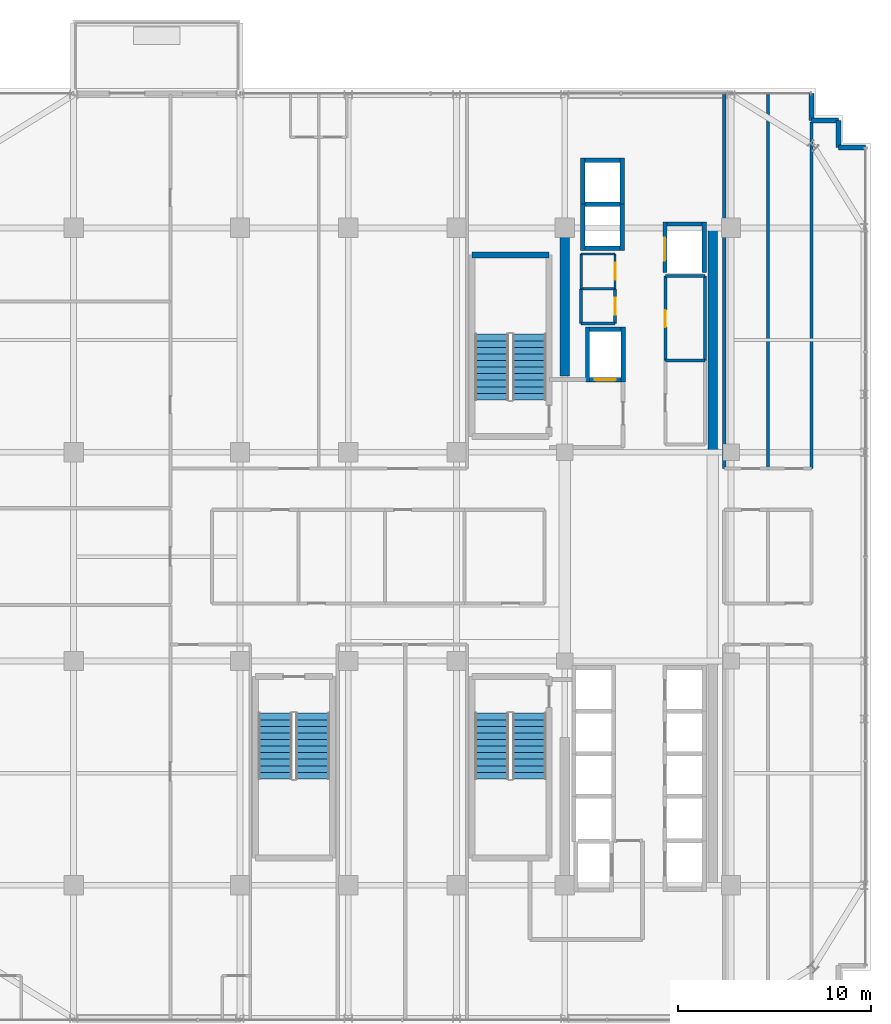
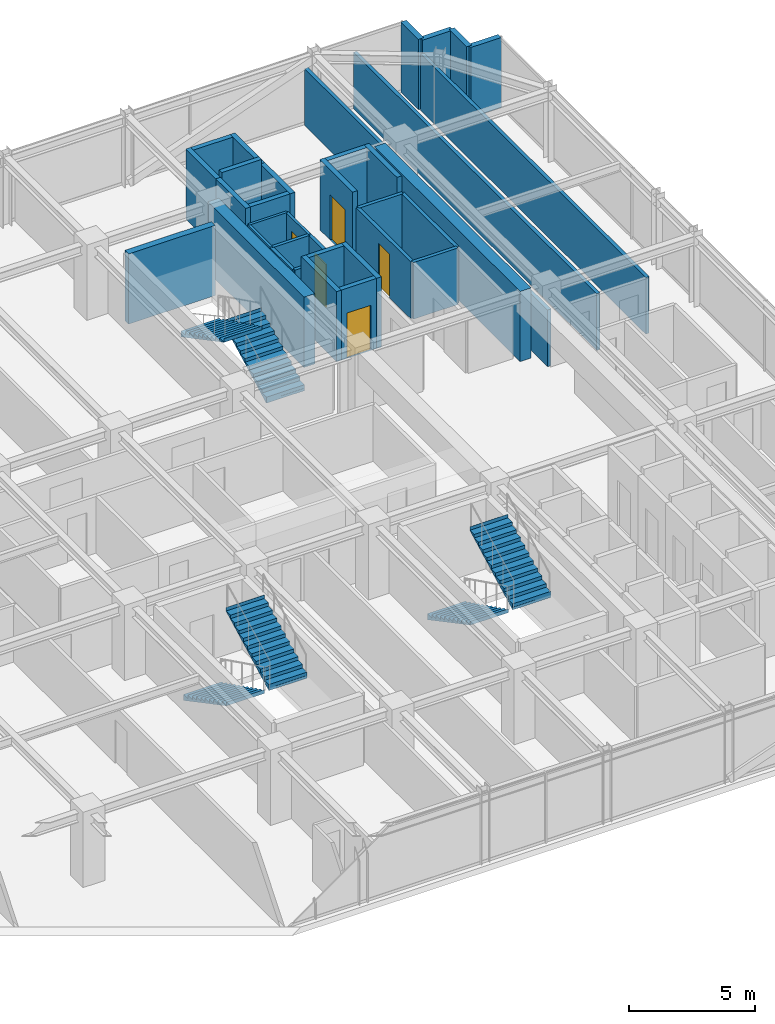
# One storey, part 32 of 36: 35 walls, 6 stair flights, 5 doors, 5 openings, 3 elements without a shape of their own.
"""IFC4 building model written with IfcOpenShell, lengths in metres."""

from ifc_helpers import new_model, si_unit, direction, frame, frame_2d, origin, place, context, subcontext, project, spatial, polyline, rectangle, outline, extrude, source, transform, mapped, material, layer, layer_set, type_object, element, fill, aggregate, save


model = new_model("IFC4")

# Units and contexts
model_context = context("Model", 3, precision=1e-05, world=origin(), true_north=direction((0.0, 1.0)))
body_context = subcontext(model_context, "Body", "Model", "MODEL_VIEW")
ifc_project = project(units=[si_unit("LENGTHUNIT", "METRE"), si_unit("AREAUNIT", "SQUARE_METRE"), si_unit("VOLUMEUNIT", "CUBIC_METRE"), si_unit("PLANEANGLEUNIT", "RADIAN"), si_unit("MASSUNIT", "GRAM", prefix="KILO")], contexts=[model_context])

# Site, building, storey
site_placement = place(None, origin())
site = spatial("IfcSite", under=ifc_project, at=site_placement, CompositionType="ELEMENT")
building_placement = place(site_placement, origin())
building = spatial("IfcBuilding", under=site, at=building_placement, Name="Nahalor Promenade Grand Hotel", CompositionType="ELEMENT")
storey_placement = place(building_placement, frame((0.0, 0.0, 241.89990234375)))
storey = spatial("IfcBuildingStorey", under=building, at=storey_placement, Name="L62", CompositionType="ELEMENT", Elevation=241.89990234375)

# Walls
ifc_material_1 = material(Name="Concrete B-60 (C50/60)", Category="concrete")
ifc_layer_1 = layer(ifc_material_1, 0.5)
ifc_layer_set_1 = layer_set([ifc_layer_1], Name="Concrete B-60 (C50/60)")
wall_type_1 = type_object("IfcWallType", Name="Wall-CoreShear-500", PredefinedType="SHEAR", material=ifc_layer_set_1)
shared_shape_1 = source(origin(), body_context, "Body", "SweptSolid", [
    extrude(rectangle(XDim=7.64990234375, YDim=0.5, at=frame_2d((3.824951171875, 0.0))), origin(), (0.0, 0.0, 1.0), 3.41015625),
])
wall_1_placement = place(storey_placement, frame((8.39990234375, 9.35009765625, 0.0), z_axis=(0.0, 0.0, 1.0), x_axis=(0.0, 1.0, 0.0)))
element("IfcWall", 1, at=wall_1_placement, inside=storey, type_object=wall_type_1, Name="CWALL-L62-NW", PredefinedType="SHEAR", context=body_context, shape_type="MappedRepresentation", body=[
    mapped(shared_shape_1, transform((0.0, 0.0, 0.0), scale=1.0)),
])
shared_shape_2 = source(origin(), body_context, "Body", "SweptSolid", [
    extrude(rectangle(XDim=11.60009765625, YDim=0.5, at=frame_2d((5.800048828125, 0.0))), origin(), (0.0, 0.0, 1.0), 3.41015625),
])
wall_2_placement = place(storey_placement, frame((16.050048828125, 5.39990234375, 0.0), z_axis=(0.0, 0.0, 1.0), x_axis=(0.0, 1.0, 0.0)))
element("IfcWall", 2, at=wall_2_placement, inside=storey, type_object=wall_type_1, Name="CWALL-L62-NE", PredefinedType="SHEAR", context=body_context, shape_type="MappedRepresentation", body=[
    mapped(shared_shape_2, transform((0.0, 0.0, 0.0), scale=1.0)),
])
ifc_material_2 = material(Name="Concrete B-50 (C40/50)", Category="concrete")
ifc_layer_2 = layer(ifc_material_2, 0.300048828125)
ifc_layer_set_2 = layer_set([ifc_layer_2], Name="Concrete B-50 (C40/50)")
wall_type_2 = type_object("IfcWallType", Name="Wall-ShaftShear-300", PredefinedType="SHEAR", material=ifc_layer_set_2)
shared_shape_3 = source(origin(), body_context, "Body", "SweptSolid", [
    extrude(rectangle(XDim=3.97998046875, YDim=0.300048828125, at=frame_2d((1.989990234375, 0.0))), origin(), (0.0, 0.0, 1.0), 3.41015625),
])
wall_3_placement = place(storey_placement, frame((3.610107421875, 15.590087890625, 0.0), z_axis=(0.0, 0.0, 1.0), x_axis=(1.0, 0.0, 0.0)))
element("IfcWall", 3, at=wall_3_placement, inside=storey, type_object=wall_type_2, Name="L62 Exit Stair ST1 Shaft Wall N", PredefinedType="SHEAR", context=body_context, shape_type="MappedRepresentation", body=[
    mapped(shared_shape_3, transform((0.0, 0.0, 0.0), scale=1.0)),
])
ifc_layer_3 = layer(ifc_material_2, 0.219970703125)
ifc_layer_set_3 = layer_set([ifc_layer_3], Name="Concrete B-50 (C40/50)")
wall_type_3 = type_object("IfcWallType", Name="Wall-LiftShaft-220", PredefinedType="SHEAR", material=ifc_layer_set_3)
shared_shape_4 = source(origin(), body_context, "Body", "SweptSolid", [
    extrude(rectangle(XDim=1.820068359375, YDim=0.219970703125, at=frame_2d((0.91015625, 0.0))), origin(), (0.0, 0.0, 1.0), 3.41015625),
])
for number, where, z_axis, x_axis, name in (
    (4, (9.43994140625, 15.949951171875, 0.0), (0.0, 0.0, 1.0), (1.0, 0.0, 0.0), "L62 Lift OB1 Hoistway Wall S"),
    (5, (9.43994140625, 20.5, 0.0), (0.0, 0.0, 1.0), (1.0, 0.0, 0.0), "L62 Lift OB2 Hoistway Wall N"),
    (6, (13.68994140625, 17.199951171875, 0.0), (0.0, 0.0, 1.0), (1.0, 0.0, 0.0), "L62 Lift SV1 Hoistway Wall N"),
):
    element("IfcWall", number, at=place(storey_placement, frame(where, z_axis=z_axis, x_axis=x_axis)), inside=storey, type_object=wall_type_3, Name=name, PredefinedType="SHEAR", context=body_context, shape_type="MappedRepresentation", body=[
        mapped(shared_shape_4, transform((0.0, 0.0, 0.0), scale=1.0)),
    ])
shared_shape_5 = source(origin(), body_context, "Body", "SweptSolid", [
    extrude(rectangle(XDim=1.820068359375, YDim=0.219970703125, at=frame_2d((0.91015625, 0.0))), origin(), (0.0, 0.0, 1.0), 3.7001953125),
])
wall_4_placement = place(storey_placement, frame((9.43994140625, 18.22509765625, 0.0), z_axis=(0.0, 0.0, 1.0), x_axis=(1.0, 0.0, 0.0)))
element("IfcWall", 7, at=wall_4_placement, inside=storey, type_object=wall_type_3, Name="L62 Lift OB1 Hoistway Wall N", PredefinedType="SHEAR", context=body_context, shape_type="MappedRepresentation", body=[
    mapped(shared_shape_5, transform((0.0, 0.0, 0.0), scale=1.0)),
])
shared_shape_6 = source(origin(), body_context, "Body", "SweptSolid", [
    extrude(rectangle(XDim=2.385009765625, YDim=0.219970703125, at=frame_2d((1.1923828125, 0.0))), origin(), (0.0, 0.0, 1.0), 3.41015625),
])
for number, where, z_axis, x_axis, name in (
    (8, (9.330078125, 15.840087890625, 0.0), (0.0, 0.0, 1.0), (0.0, 1.0, 0.0), "L62 Lift OB1 Hoistway Wall W"),
    (9, (11.3701171875, 15.840087890625, 0.0), (0.0, 0.0, 1.0), (0.0, 1.0, 0.0), "L62 Lift OB1 Hoistway Wall E"),
    (10, (9.330078125, 18.22509765625, 0.0), (0.0, 0.0, 1.0), (0.0, 1.0, 0.0), "L62 Lift OB2 Hoistway Wall W"),
    (11, (11.3701171875, 18.22509765625, 0.0), (0.0, 0.0, 1.0), (0.0, 1.0, 0.0), "L62 Lift OB2 Hoistway Wall E"),
):
    element("IfcWall", number, at=place(storey_placement, frame(where, z_axis=z_axis, x_axis=x_axis)), inside=storey, type_object=wall_type_3, Name=name, PredefinedType="SHEAR", context=body_context, shape_type="MappedRepresentation", body=[
        mapped(shared_shape_6, transform((0.0, 0.0, 0.0), scale=1.0)),
    ])
shared_shape_7 = source(origin(), body_context, "Body", "SweptSolid", [
    extrude(rectangle(XDim=2.820068359375, YDim=0.219970703125, at=frame_2d((1.41015625, 0.0))), origin(), (0.0, 0.0, 1.0), 3.41015625),
])
for number, where, z_axis, x_axis, name in (
    (12, (9.580078125, 9.0400390625, 0.0), (0.0, 0.0, 1.0), (0.0, 1.0, 0.0), "L62 Lift FL1 Hoistway Wall W"),
    (13, (11.419921875, 9.0400390625, 0.0), (0.0, 0.0, 1.0), (0.0, 1.0, 0.0), "L62 Lift FL1 Hoistway Wall E"),
):
    element("IfcWall", number, at=place(storey_placement, frame(where, z_axis=z_axis, x_axis=x_axis)), inside=storey, type_object=wall_type_3, Name=name, PredefinedType="SHEAR", context=body_context, shape_type="MappedRepresentation", body=[
        mapped(shared_shape_7, transform((0.0, 0.0, 0.0), scale=1.0)),
    ])

# Wall, opening, door
shared_shape_8 = source(origin(), body_context, "Body", "SweptSolid", [
    extrude(rectangle(XDim=1.6201171875, YDim=0.219970703125, at=frame_2d((0.81005859375, 0.0))), origin(), (0.0, 0.0, 1.0), 3.41015625),
])
wall_5_placement = place(storey_placement, frame((9.68994140625, 9.14990234375, 0.0), z_axis=(0.0, 0.0, 1.0), x_axis=(1.0, 0.0, 0.0)))
wall_5 = element("IfcWall", 14, at=wall_5_placement, inside=storey, type_object=wall_type_3, Name="L62 Lift FL1 Hoistway Wall S", PredefinedType="SHEAR", context=body_context, shape_type="MappedRepresentation", body=[
    mapped(shared_shape_8, transform((0.0, 0.0, 0.0), scale=1.0)),
])
opening_1_placement = place(wall_5_placement, frame((0.260009765625, 0.0, 0.0)))
opening_1 = element("IfcOpeningElement", 15, at=opening_1_placement, cuts=wall_5, Name="Opening LD-02", PredefinedType="OPENING", context=body_context, shape_type="SweptSolid", body=[
    extrude(rectangle(XDim=1.10009765625, YDim=2.199951171875, at=frame_2d((0.550048828125, 1.10009765625))), frame((0.0, 0.119873046875, 0.0), z_axis=(0.0, -1.0, 0.0), x_axis=(1.0, 0.0, 0.0)), (0.0, 0.0, 1.0), 0.239990234375),
])
ifc_material_3 = material(Name="Steel S355JR", Category="steel")
door_type_1 = type_object("IfcDoorType", Name="Door-LiftFF-1100", OperationType="DOUBLE_DOOR_SLIDING", PredefinedType="DOOR", material=ifc_material_3)
shared_shape_9 = source(origin(), body_context, "Body", "SweptSolid", [
    extrude(rectangle(XDim=1.10009765625, YDim=2.199951171875, at=frame_2d((0.550048828125, 1.10009765625))), frame((0.0, 0.02490234375, 0.0), z_axis=(0.0, -1.0, 0.0), x_axis=(1.0, 0.0, 0.0)), (0.0, 0.0, 1.0), 0.050048828125),
])
door_1_placement = place(opening_1_placement, frame((1.10009765625, 0.0, 0.0), z_axis=(0.0, 0.0, 1.0), x_axis=(-1.0, 0.0, 0.0)))
door_1 = element("IfcDoor", 16, at=door_1_placement, inside=storey, type_object=door_type_1, Name="DR-LIFT-FL1-L62", OperationType="DOUBLE_DOOR_SLIDING", OverallHeight=2.199951171875, OverallWidth=1.10009765625, PredefinedType="DOOR", context=body_context, shape_type="MappedRepresentation", body=[
    mapped(shared_shape_9, transform((0.0, 0.0, 0.0), scale=1.0)),
])
fill(opening_1, door_1)

# Wall
wall_6_placement = place(storey_placement, frame((9.68994140625, 11.75, 0.0), z_axis=(0.0, 0.0, 1.0), x_axis=(1.0, 0.0, 0.0)))
element("IfcWall", 17, at=wall_6_placement, inside=storey, type_object=wall_type_3, Name="L62 Lift FL1 Hoistway Wall N", PredefinedType="SHEAR", context=body_context, shape_type="MappedRepresentation", body=[
    mapped(shared_shape_8, transform((0.0, 0.0, 0.0), scale=1.0)),
])

# Wall, opening, door
shared_shape_10 = source(origin(), body_context, "Body", "SweptSolid", [
    extrude(rectangle(XDim=2.610107421875, YDim=0.219970703125, at=frame_2d((1.30517578125, 0.0))), origin(), (0.0, 0.0, 1.0), 3.41015625),
])
wall_7_placement = place(storey_placement, frame((13.580078125, 14.699951171875, 0.0), z_axis=(0.0, 0.0, 1.0), x_axis=(0.0, 1.0, 0.0)))
wall_7 = element("IfcWall", 18, at=wall_7_placement, inside=storey, type_object=wall_type_3, Name="L62 Lift SV1 Hoistway Wall W", PredefinedType="SHEAR", context=body_context, shape_type="MappedRepresentation", body=[
    mapped(shared_shape_10, transform((0.0, 0.0, 0.0), scale=1.0)),
])
opening_2_placement = place(wall_7_placement, frame((0.60009765625, 0.0, 0.0)))
opening_2 = element("IfcOpeningElement", 19, at=opening_2_placement, cuts=wall_7, Name="Opening LD-03", PredefinedType="OPENING", context=body_context, shape_type="SweptSolid", body=[
    extrude(rectangle(XDim=1.199951171875, YDim=2.199951171875, at=frame_2d((0.60009765625, 1.10009765625))), frame((0.0, 0.119873046875, 0.0), z_axis=(0.0, -1.0, 0.0), x_axis=(1.0, 0.0, 0.0)), (0.0, 0.0, 1.0), 0.239990234375),
])
door_type_2 = type_object("IfcDoorType", Name="Door-LiftService-1200", OperationType="DOUBLE_DOOR_SLIDING", PredefinedType="DOOR", material=ifc_material_3)
shared_shape_11 = source(origin(), body_context, "Body", "SweptSolid", [
    extrude(rectangle(XDim=1.199951171875, YDim=2.199951171875, at=frame_2d((0.60009765625, 1.10009765625))), frame((0.0, 0.02490234375, 0.0), z_axis=(0.0, -1.0, 0.0), x_axis=(1.0, 0.0, 0.0)), (0.0, 0.0, 1.0), 0.050048828125),
])
door_2_placement = place(opening_2_placement, origin())
door_2 = element("IfcDoor", 20, at=door_2_placement, inside=storey, type_object=door_type_2, Name="DR-LIFT-SV1-L62", OperationType="DOUBLE_DOOR_SLIDING", OverallHeight=2.199951171875, OverallWidth=1.199951171875, PredefinedType="DOOR", context=body_context, shape_type="MappedRepresentation", body=[
    mapped(shared_shape_11, transform((0.0, 0.0, 0.0), scale=1.0)),
])
fill(opening_2, door_2)

# Walls
wall_8_placement = place(storey_placement, frame((15.6201171875, 14.699951171875, 0.0), z_axis=(0.0, 0.0, 1.0), x_axis=(0.0, 1.0, 0.0)))
element("IfcWall", 21, at=wall_8_placement, inside=storey, type_object=wall_type_3, Name="L62 Lift SV1 Hoistway Wall E", PredefinedType="SHEAR", context=body_context, shape_type="MappedRepresentation", body=[
    mapped(shared_shape_10, transform((0.0, 0.0, 0.0), scale=1.0)),
])
ifc_material_4 = material(Name="Concrete B-40 (C32/40)", Category="concrete")
ifc_layer_4 = layer(ifc_material_4, 0.25)
ifc_layer_set_4 = layer_set([ifc_layer_4], Name="Concrete B-40 (C32/40)")
wall_type_4 = type_object("IfcWallType", Name="Wall-BronzePier-250", PredefinedType="STANDARD", material=ifc_layer_set_4)
shared_shape_12 = source(origin(), body_context, "Body", "SweptSolid", [
    extrude(rectangle(XDim=1.39990234375, YDim=0.25, at=frame_2d((0.699951171875, 0.0))), origin(), (0.0, 0.0, 1.0), 3.41015625),
])
for number, where, z_axis, x_axis, name in (
    (22, (22.56005859375, 21.159912109375, 0.0), (0.0, 0.0, 1.0), (1.0, 0.0, 0.0), "W-L62-SR-05"),
    (23, (21.159912109375, 22.56005859375, 0.0), (0.0, 0.0, 1.0), (0.0, 1.0, 0.0), "W-L62-SR-08"),
):
    element("IfcWall", number, at=place(storey_placement, frame(where, z_axis=z_axis, x_axis=x_axis)), inside=storey, type_object=wall_type_4, Name=name, PredefinedType="STANDARD", context=body_context, shape_type="MappedRepresentation", body=[
        mapped(shared_shape_12, transform((0.0, 0.0, 0.0), scale=1.0)),
    ])
shared_shape_13 = source(origin(), body_context, "Body", "SweptSolid", [
    extrude(rectangle(XDim=1.400146484375, YDim=0.25, at=frame_2d((0.7001953125, 0.0))), origin(), (0.0, 0.0, 1.0), 3.41015625),
])
for number, where, z_axis, x_axis, name in (
    (24, (22.56005859375, 21.159912109375, 0.0), (0.0, 0.0, 1.0), (0.0, 1.0, 0.0), "W-L62-SR-06"),
    (25, (21.159912109375, 22.56005859375, 0.0), (0.0, 0.0, 1.0), (1.0, 0.0, 0.0), "W-L62-SR-07"),
):
    element("IfcWall", number, at=place(storey_placement, frame(where, z_axis=z_axis, x_axis=x_axis)), inside=storey, type_object=wall_type_4, Name=name, PredefinedType="STANDARD", context=body_context, shape_type="MappedRepresentation", body=[
        mapped(shared_shape_13, transform((0.0, 0.0, 0.0), scale=1.0)),
    ])
ifc_material_5 = material(Name="Acoustic Mineral Gypsum", Category="gypsum")
ifc_layer_5 = layer(ifc_material_5, 0.14990234375)
ifc_layer_set_5 = layer_set([ifc_layer_5], Name="Acoustic Mineral Gypsum")
wall_type_5 = type_object("IfcWallType", Name="Wall-PartService-150", PredefinedType="PARTITIONING", material=ifc_layer_set_5)
shared_shape_14 = source(origin(), body_context, "Body", "SweptSolid", [
    extrude(rectangle(XDim=1.75, YDim=0.14990234375, at=frame_2d((0.875, 0.0))), origin(), (0.0, 0.0, 1.0), 2.75),
])
for number, where, z_axis, x_axis, name in (
    (26, (9.25, 12.050048828125, 0.0), (0.0, 0.0, 1.0), (1.0, 0.0, 0.0), "W-L62-CK2A-S"),
    (27, (9.25, 13.85009765625, 0.0), (0.0, 0.0, 1.0), (1.0, 0.0, 0.0), "W-L62-CK2A-N"),
):
    element("IfcWall", number, at=place(storey_placement, frame(where, z_axis=z_axis, x_axis=x_axis)), inside=storey, type_object=wall_type_5, Name=name, PredefinedType="PARTITIONING", context=body_context, shape_type="MappedRepresentation", body=[
        mapped(shared_shape_14, transform((0.0, 0.0, 0.0), scale=1.0)),
    ])
ifc_layer_6 = layer(ifc_material_5, 0.159912109375)
ifc_layer_set_6 = layer_set([ifc_layer_6], Name="Acoustic Mineral Gypsum")
wall_type_6 = type_object("IfcWallType", Name="Wall-PartCorridor-160", PredefinedType="PARTITIONING", material=ifc_layer_set_6)
shared_shape_15 = source(origin(), body_context, "Body", "SweptSolid", [
    extrude(rectangle(XDim=2.0498046875, YDim=0.159912109375, at=frame_2d((1.02490234375, 0.0))), origin(), (0.0, 0.0, 1.0), 2.75),
])
for number, where, z_axis, x_axis, name in (
    (28, (13.60009765625, 10.14990234375, 0.0), (0.0, 0.0, 1.0), (1.0, 0.0, 0.0), "W-L62-FRB1A-N"),
    (29, (13.60009765625, 14.5, 0.0), (0.0, 0.0, 1.0), (1.0, 0.0, 0.0), "W-L62-FRB1B-N"),
):
    element("IfcWall", number, at=place(storey_placement, frame(where, z_axis=z_axis, x_axis=x_axis)), inside=storey, type_object=wall_type_6, Name=name, PredefinedType="PARTITIONING", context=body_context, shape_type="MappedRepresentation", body=[
        mapped(shared_shape_15, transform((0.0, 0.0, 0.0), scale=1.0)),
    ])
shared_shape_16 = source(origin(), body_context, "Body", "SweptSolid", [
    extrude(rectangle(XDim=19.349853515625, YDim=0.159912109375, at=frame_2d((9.6748046875, 0.0))), origin(), (0.0, 0.0, 1.0), 2.75),
])
for number, where, z_axis, x_axis, name in (
    (30, (16.64990234375, 4.550048828125, 0.0), (0.0, 0.0, 1.0), (0.0, 1.0, 0.0), "W-L62-ENE1-W"),
    (31, (18.905029296875, 4.550048828125, 0.0), (0.0, 0.0, 1.0), (0.0, 1.0, 0.0), "W-L62-ENE1-E"),
):
    element("IfcWall", number, at=place(storey_placement, frame(where, z_axis=z_axis, x_axis=x_axis)), inside=storey, type_object=wall_type_6, Name=name, PredefinedType="PARTITIONING", context=body_context, shape_type="MappedRepresentation", body=[
        mapped(shared_shape_16, transform((0.0, 0.0, 0.0), scale=1.0)),
    ])
shared_shape_17 = source(origin(), body_context, "Body", "SweptSolid", [
    extrude(rectangle(XDim=17.929931640625, YDim=0.159912109375, at=frame_2d((8.96484375, 0.0))), origin(), (0.0, 0.0, 1.0), 2.75),
])
wall_9_placement = place(storey_placement, frame((21.159912109375, 4.550048828125, 0.0), z_axis=(0.0, 0.0, 1.0), x_axis=(0.0, 1.0, 0.0)))
element("IfcWall", 32, at=wall_9_placement, inside=storey, type_object=wall_type_6, Name="W-L62-ENE2-E", PredefinedType="PARTITIONING", context=body_context, shape_type="MappedRepresentation", body=[
    mapped(shared_shape_17, transform((0.0, 0.0, 0.0), scale=1.0)),
])
shared_shape_18 = source(origin(), body_context, "Body", "SweptSolid", [
    extrude(rectangle(XDim=1.800048828125, YDim=0.14990234375, at=frame_2d((0.89990234375, 0.0))), origin(), (0.0, 0.0, 1.0), 2.75),
])
wall_10_placement = place(storey_placement, frame((9.25, 12.050048828125, 0.0), z_axis=(0.0, 0.0, 1.0), x_axis=(0.0, 1.0, 0.0)))
element("IfcWall", 33, at=wall_10_placement, inside=storey, type_object=wall_type_5, Name="W-L62-CK2A-W", PredefinedType="PARTITIONING", context=body_context, shape_type="MappedRepresentation", body=[
    mapped(shared_shape_18, transform((0.0, 0.0, 0.0), scale=1.0)),
])

# Wall, opening, door
wall_11_placement = place(storey_placement, frame((11.0, 12.050048828125, 0.0), z_axis=(0.0, 0.0, 1.0), x_axis=(0.0, 1.0, 0.0)))
wall_11 = element("IfcWall", 34, at=wall_11_placement, inside=storey, type_object=wall_type_5, Name="W-L62-CK2A-E", PredefinedType="PARTITIONING", context=body_context, shape_type="MappedRepresentation", body=[
    mapped(shared_shape_18, transform((0.0, 0.0, 0.0), scale=1.0)),
])
opening_3_placement = place(wall_11_placement, frame((0.4599609375, 0.0, 0.0)))
opening_3 = element("IfcOpeningElement", 35, at=opening_3_placement, cuts=wall_11, Name="Opening D-03", PredefinedType="OPENING", context=body_context, shape_type="SweptSolid", body=[
    extrude(rectangle(XDim=0.8798828125, YDim=2.10009765625, at=frame_2d((0.43994140625, 1.050048828125))), frame((0.0, 0.0849609375, 0.0), z_axis=(0.0, -1.0, 0.0), x_axis=(1.0, 0.0, 0.0)), (0.0, 0.0, 1.0), 0.169921875),
])
ifc_material_6 = material(Name="Fire-Rated Timber Composite", Category="wood")
door_type_3 = type_object("IfcDoorType", Name="Door-BathSwing-880", OperationType="NOTDEFINED", PredefinedType="DOOR", material=ifc_material_6)
shared_shape_19 = source(origin(), body_context, "Body", "SweptSolid", [
    extrude(rectangle(XDim=0.8798828125, YDim=2.10009765625, at=frame_2d((0.43994140625, 1.050048828125))), frame((0.0, 0.02490234375, 0.0), z_axis=(0.0, -1.0, 0.0), x_axis=(1.0, 0.0, 0.0)), (0.0, 0.0, 1.0), 0.050048828125),
])
door_3_placement = place(opening_3_placement, origin())
door_3 = element("IfcDoor", 36, at=door_3_placement, inside=storey, type_object=door_type_3, Name="DR-L62-CK2A", OperationType="SINGLE_SWING_LEFT", OverallHeight=2.10009765625, OverallWidth=0.8798828125, PredefinedType="DOOR", context=body_context, shape_type="MappedRepresentation", body=[
    mapped(shared_shape_19, transform((0.0, 0.0, 0.0), scale=1.0)),
])
fill(opening_3, door_3)

# Walls
ifc_layer_7 = layer(ifc_material_5, 0.1201171875)
ifc_layer_set_7 = layer_set([ifc_layer_7], Name="Acoustic Mineral Gypsum")
wall_type_7 = type_object("IfcWallType", Name="Wall-PartBath-120", PredefinedType="PARTITIONING", material=ifc_layer_set_7)
shared_shape_20 = source(origin(), body_context, "Body", "SweptSolid", [
    extrude(rectangle(XDim=1.75, YDim=0.1201171875, at=frame_2d((0.875, 0.0))), origin(), (0.0, 0.0, 1.0), 2.75),
])
wall_12_placement = place(storey_placement, frame((9.25, 15.64990234375, 0.0), z_axis=(0.0, 0.0, 1.0), x_axis=(1.0, 0.0, 0.0)))
element("IfcWall", 37, at=wall_12_placement, inside=storey, type_object=wall_type_7, Name="W-L62-CK2B-N", PredefinedType="PARTITIONING", context=body_context, shape_type="MappedRepresentation", body=[
    mapped(shared_shape_20, transform((0.0, 0.0, 0.0), scale=1.0)),
])
shared_shape_21 = source(origin(), body_context, "Body", "SweptSolid", [
    extrude(rectangle(XDim=1.7998046875, YDim=0.1201171875, at=frame_2d((0.89990234375, 0.0))), origin(), (0.0, 0.0, 1.0), 2.75),
])
wall_13_placement = place(storey_placement, frame((9.25, 13.85009765625, 0.0), z_axis=(0.0, 0.0, 1.0), x_axis=(0.0, 1.0, 0.0)))
element("IfcWall", 38, at=wall_13_placement, inside=storey, type_object=wall_type_7, Name="W-L62-CK2B-W", PredefinedType="PARTITIONING", context=body_context, shape_type="MappedRepresentation", body=[
    mapped(shared_shape_21, transform((0.0, 0.0, 0.0), scale=1.0)),
])

# Wall, opening, door
wall_14_placement = place(storey_placement, frame((11.0, 13.85009765625, 0.0), z_axis=(0.0, 0.0, 1.0), x_axis=(0.0, 1.0, 0.0)))
wall_14 = element("IfcWall", 39, at=wall_14_placement, inside=storey, type_object=wall_type_7, Name="W-L62-CK2B-E", PredefinedType="PARTITIONING", context=body_context, shape_type="MappedRepresentation", body=[
    mapped(shared_shape_21, transform((0.0, 0.0, 0.0), scale=1.0)),
])
opening_4_placement = place(wall_14_placement, frame((0.4599609375, 0.0, 0.0)))
opening_4 = element("IfcOpeningElement", 40, at=opening_4_placement, cuts=wall_14, Name="Opening D-03", PredefinedType="OPENING", context=body_context, shape_type="SweptSolid", body=[
    extrude(rectangle(XDim=0.8798828125, YDim=2.10009765625, at=frame_2d((0.43994140625, 1.050048828125))), frame((0.0, 0.070068359375, 0.0), z_axis=(0.0, -1.0, 0.0), x_axis=(1.0, 0.0, 0.0)), (0.0, 0.0, 1.0), 0.14013671875),
])
door_4_placement = place(opening_4_placement, origin())
door_4 = element("IfcDoor", 41, at=door_4_placement, inside=storey, type_object=door_type_3, Name="DR-L62-CK2B", OperationType="SINGLE_SWING_RIGHT", OverallHeight=2.10009765625, OverallWidth=0.8798828125, PredefinedType="DOOR", context=body_context, shape_type="MappedRepresentation", body=[
    mapped(shared_shape_19, transform((0.0, 0.0, 0.0), scale=1.0)),
])
fill(opening_4, door_4)

shared_shape_22 = source(origin(), body_context, "Body", "SweptSolid", [
    extrude(rectangle(XDim=4.35009765625, YDim=0.159912109375, at=frame_2d((2.175048828125, 0.0))), origin(), (0.0, 0.0, 1.0), 2.75),
])
wall_15_placement = place(storey_placement, frame((13.60009765625, 10.14990234375, 0.0), z_axis=(0.0, 0.0, 1.0), x_axis=(0.0, 1.0, 0.0)))
wall_15 = element("IfcWall", 42, at=wall_15_placement, inside=storey, type_object=wall_type_6, Name="W-L62-FRB1B-W", PredefinedType="PARTITIONING", context=body_context, shape_type="MappedRepresentation", body=[
    mapped(shared_shape_22, transform((0.0, 0.0, 0.0), scale=1.0)),
])
opening_5_placement = place(wall_15_placement, frame((1.7099609375, 0.0, 0.0)))
opening_5 = element("IfcOpeningElement", 43, at=opening_5_placement, cuts=wall_15, Name="Opening D-03", PredefinedType="OPENING", context=body_context, shape_type="SweptSolid", body=[
    extrude(rectangle(XDim=0.8798828125, YDim=2.10009765625, at=frame_2d((0.43994140625, 1.050048828125))), frame((0.0, 0.08984375, 0.0), z_axis=(0.0, -1.0, 0.0), x_axis=(1.0, 0.0, 0.0)), (0.0, 0.0, 1.0), 0.179931640625),
])
door_5_placement = place(opening_5_placement, frame((0.8798828125, 0.0, 0.0), z_axis=(0.0, 0.0, 1.0), x_axis=(-1.0, 0.0, 0.0)))
door_5 = element("IfcDoor", 44, at=door_5_placement, inside=storey, type_object=door_type_3, Name="DR-L62-FRB1B", OperationType="SINGLE_SWING_RIGHT", OverallHeight=2.10009765625, OverallWidth=0.8798828125, PredefinedType="DOOR", context=body_context, shape_type="MappedRepresentation", body=[
    mapped(shared_shape_19, transform((0.0, 0.0, 0.0), scale=1.0)),
])
fill(opening_5, door_5)

# Wall
wall_16_placement = place(storey_placement, frame((15.64990234375, 10.14990234375, 0.0), z_axis=(0.0, 0.0, 1.0), x_axis=(0.0, 1.0, 0.0)))
element("IfcWall", 45, at=wall_16_placement, inside=storey, type_object=wall_type_6, Name="W-L62-FRB1B-E", PredefinedType="PARTITIONING", context=body_context, shape_type="MappedRepresentation", body=[
    mapped(shared_shape_22, transform((0.0, 0.0, 0.0), scale=1.0)),
])

# Stair, stair flights
stair_type_1 = type_object("IfcStairType", Name="Stair-ST1", PredefinedType="HALF_TURN_STAIR", material=ifc_material_2)
stair_1_placement = place(storey_placement, origin())
stair_1 = element("IfcStair", 46, at=stair_1_placement, inside=storey, type_object=stair_type_1, Name="L62 ST1", PredefinedType="HALF_TURN_STAIR")
ifc_layer_8 = layer(ifc_material_2, 0.179931640625)
ifc_layer_set_8 = layer_set([ifc_layer_8], Name="Concrete B-50 (C40/50)")
stair_flight_type_1 = type_object("IfcStairFlightType", Name="Flight-ST1", PredefinedType="STRAIGHT", material=ifc_layer_set_8)
shared_shape_23 = source(origin(), body_context, "Body", "SweptSolid", [
    extrude(outline(polyline([(-0.00390625, -0.1201171875), (-0.00390625, 0.0), (0.0, 0.0), (0.0, 0.168212890625), (0.340087890625, 0.168212890625), (0.340087890625, 0.33642578125), (0.679931640625, 0.33642578125), (0.679931640625, 0.504638671875), (1.02001953125, 0.504638671875), (1.02001953125, 0.672607421875), (1.360107421875, 0.672607421875), (1.360107421875, 0.8408203125), (1.699951171875, 0.8408203125), (1.699951171875, 1.009033203125), (2.0400390625, 1.009033203125), (2.0400390625, 1.17724609375), (2.3798828125, 1.17724609375), (2.3798828125, 1.345458984375), (2.719970703125, 1.345458984375), (2.719970703125, 1.513671875), (3.06005859375, 1.513671875), (3.06005859375, 1.681884765625), (3.39990234375, 1.681884765625), (3.39990234375, 1.85009765625), (3.404052734375, 1.85009765625), (3.404052734375, 1.669921875), (0.02001953125, -0.1201171875), (-0.00390625, -0.1201171875)])), frame((0.0, 0.875, 0.0), z_axis=(0.0, -1.0, 0.0), x_axis=(1.0, 0.0, 0.0)), (0.0, 0.0, 1.0), 1.75),
])
stair_flight_1_placement = place(storey_placement, frame((6.574951171875, 8.10009765625, 0.0), z_axis=(0.0, 0.0, 1.0), x_axis=(0.0, 1.0, 0.0)))
stair_flight_1 = element("IfcStairFlight", 47, at=stair_flight_1_placement, type_object=stair_flight_type_1, Name="ST1 flight 1", NumberOfRisers=11, NumberOfTreads=10, PredefinedType="STRAIGHT", RiserHeight=0.168181818, TreadLength=0.34, context=body_context, shape_type="MappedRepresentation", body=[
    mapped(shared_shape_23, transform((0.0, 0.0, 0.0), scale=1.0)),
])
stair_flight_2_placement = place(storey_placement, frame((4.625, 11.5, 1.85009765625), z_axis=(0.0, 0.0, 1.0), x_axis=(0.0, -1.0, 0.0)))
stair_flight_2 = element("IfcStairFlight", 48, at=stair_flight_2_placement, type_object=stair_flight_type_1, Name="ST1 flight 2", NumberOfRisers=11, NumberOfTreads=10, PredefinedType="STRAIGHT", RiserHeight=0.168181818, TreadLength=0.34, context=body_context, shape_type="MappedRepresentation", body=[
    mapped(shared_shape_23, transform((0.0, 0.0, 0.0), scale=1.0)),
])
aggregate(stair_1, [stair_flight_1, stair_flight_2])

stair_type_2 = type_object("IfcStairType", Name="Stair-ST2", PredefinedType="HALF_TURN_STAIR", material=ifc_material_2)
stair_2_placement = place(storey_placement, origin())
stair_2 = element("IfcStair", 49, at=stair_2_placement, inside=storey, type_object=stair_type_2, Name="L62 ST2", PredefinedType="HALF_TURN_STAIR")
ifc_layer_9 = layer(ifc_material_2, 0.18994140625)
ifc_layer_set_9 = layer_set([ifc_layer_9], Name="Concrete B-50 (C40/50)")
stair_flight_type_2 = type_object("IfcStairFlightType", Name="Flight-ST2", PredefinedType="STRAIGHT", material=ifc_layer_set_9)
shared_shape_24 = source(origin(), body_context, "Body", "SweptSolid", [
    extrude(outline(polyline([(-0.00390625, -0.1201171875), (-0.00390625, 0.0), (0.0, 0.0), (0.0, 0.168212890625), (0.340087890625, 0.168212890625), (0.340087890625, 0.33642578125), (0.679931640625, 0.33642578125), (0.679931640625, 0.504638671875), (1.02001953125, 0.504638671875), (1.02001953125, 0.672607421875), (1.360107421875, 0.672607421875), (1.360107421875, 0.8408203125), (1.699951171875, 0.8408203125), (1.699951171875, 1.009033203125), (2.0400390625, 1.009033203125), (2.0400390625, 1.17724609375), (2.3798828125, 1.17724609375), (2.3798828125, 1.345458984375), (2.719970703125, 1.345458984375), (2.719970703125, 1.513671875), (3.06005859375, 1.513671875), (3.06005859375, 1.681884765625), (3.39990234375, 1.681884765625), (3.39990234375, 1.85009765625), (3.404052734375, 1.85009765625), (3.404052734375, 1.669921875), (0.02001953125, -0.1201171875), (-0.00390625, -0.1201171875)])), frame((0.0, 0.875, 0.0), z_axis=(0.0, -1.0, 0.0), x_axis=(1.0, 0.0, 0.0)), (0.0, 0.0, 1.0), 1.75),
])
stair_flight_3_placement = place(storey_placement, frame((4.625, -8.10009765625, 0.0), z_axis=(0.0, 0.0, 1.0), x_axis=(0.0, -1.0, 0.0)))
stair_flight_3 = element("IfcStairFlight", 50, at=stair_flight_3_placement, type_object=stair_flight_type_2, Name="ST2 flight 1", NumberOfRisers=11, NumberOfTreads=10, PredefinedType="STRAIGHT", RiserHeight=0.168181818, TreadLength=0.34, context=body_context, shape_type="MappedRepresentation", body=[
    mapped(shared_shape_24, transform((0.0, 0.0, 0.0), scale=1.0)),
])
stair_flight_4_placement = place(storey_placement, frame((6.574951171875, -11.5, 1.85009765625), z_axis=(0.0, 0.0, 1.0), x_axis=(0.0, 1.0, 0.0)))
stair_flight_4 = element("IfcStairFlight", 51, at=stair_flight_4_placement, type_object=stair_flight_type_2, Name="ST2 flight 2", NumberOfRisers=11, NumberOfTreads=10, PredefinedType="STRAIGHT", RiserHeight=0.168181818, TreadLength=0.34, context=body_context, shape_type="MappedRepresentation", body=[
    mapped(shared_shape_24, transform((0.0, 0.0, 0.0), scale=1.0)),
])
aggregate(stair_2, [stair_flight_3, stair_flight_4])

stair_type_3 = type_object("IfcStairType", Name="Stair-ST3", PredefinedType="HALF_TURN_STAIR", material=ifc_material_2)
stair_3_placement = place(storey_placement, origin())
stair_3 = element("IfcStair", 52, at=stair_3_placement, inside=storey, type_object=stair_type_3, Name="L62 ST3", PredefinedType="HALF_TURN_STAIR")
ifc_layer_10 = layer(ifc_material_2, 0.199951171875)
ifc_layer_set_10 = layer_set([ifc_layer_10], Name="Concrete B-50 (C40/50)")
stair_flight_type_3 = type_object("IfcStairFlightType", Name="Flight-ST3", PredefinedType="STRAIGHT", material=ifc_layer_set_10)
shared_shape_25 = source(origin(), body_context, "Body", "SweptSolid", [
    extrude(outline(polyline([(-0.00390625, -0.1201171875), (-0.00390625, 0.0), (0.0, 0.0), (0.0, 0.168212890625), (0.340087890625, 0.168212890625), (0.340087890625, 0.33642578125), (0.679931640625, 0.33642578125), (0.679931640625, 0.504638671875), (1.02001953125, 0.504638671875), (1.02001953125, 0.672607421875), (1.360107421875, 0.672607421875), (1.360107421875, 0.8408203125), (1.699951171875, 0.8408203125), (1.699951171875, 1.009033203125), (2.0400390625, 1.009033203125), (2.0400390625, 1.17724609375), (2.3798828125, 1.17724609375), (2.3798828125, 1.345458984375), (2.719970703125, 1.345458984375), (2.719970703125, 1.513671875), (3.06005859375, 1.513671875), (3.06005859375, 1.681884765625), (3.39990234375, 1.681884765625), (3.39990234375, 1.85009765625), (3.404052734375, 1.85009765625), (3.404052734375, 1.669921875), (0.02001953125, -0.1201171875), (-0.00390625, -0.1201171875)])), frame((0.0, 0.875, 0.0), z_axis=(0.0, -1.0, 0.0), x_axis=(1.0, 0.0, 0.0)), (0.0, 0.0, 1.0), 1.75),
])
stair_flight_5_placement = place(storey_placement, frame((-6.574951171875, -8.10009765625, 0.0), z_axis=(0.0, 0.0, 1.0), x_axis=(0.0, -1.0, 0.0)))
stair_flight_5 = element("IfcStairFlight", 53, at=stair_flight_5_placement, type_object=stair_flight_type_3, Name="ST3 flight 1", NumberOfRisers=11, NumberOfTreads=10, PredefinedType="STRAIGHT", RiserHeight=0.168181818, TreadLength=0.34, context=body_context, shape_type="MappedRepresentation", body=[
    mapped(shared_shape_25, transform((0.0, 0.0, 0.0), scale=1.0)),
])
stair_flight_6_placement = place(storey_placement, frame((-4.625, -11.5, 1.85009765625), z_axis=(0.0, 0.0, 1.0), x_axis=(0.0, 1.0, 0.0)))
stair_flight_6 = element("IfcStairFlight", 54, at=stair_flight_6_placement, type_object=stair_flight_type_3, Name="ST3 flight 2", NumberOfRisers=11, NumberOfTreads=10, PredefinedType="STRAIGHT", RiserHeight=0.168181818, TreadLength=0.34, context=body_context, shape_type="MappedRepresentation", body=[
    mapped(shared_shape_25, transform((0.0, 0.0, 0.0), scale=1.0)),
])
aggregate(stair_3, [stair_flight_5, stair_flight_6])

save(model, "model.ifc")
